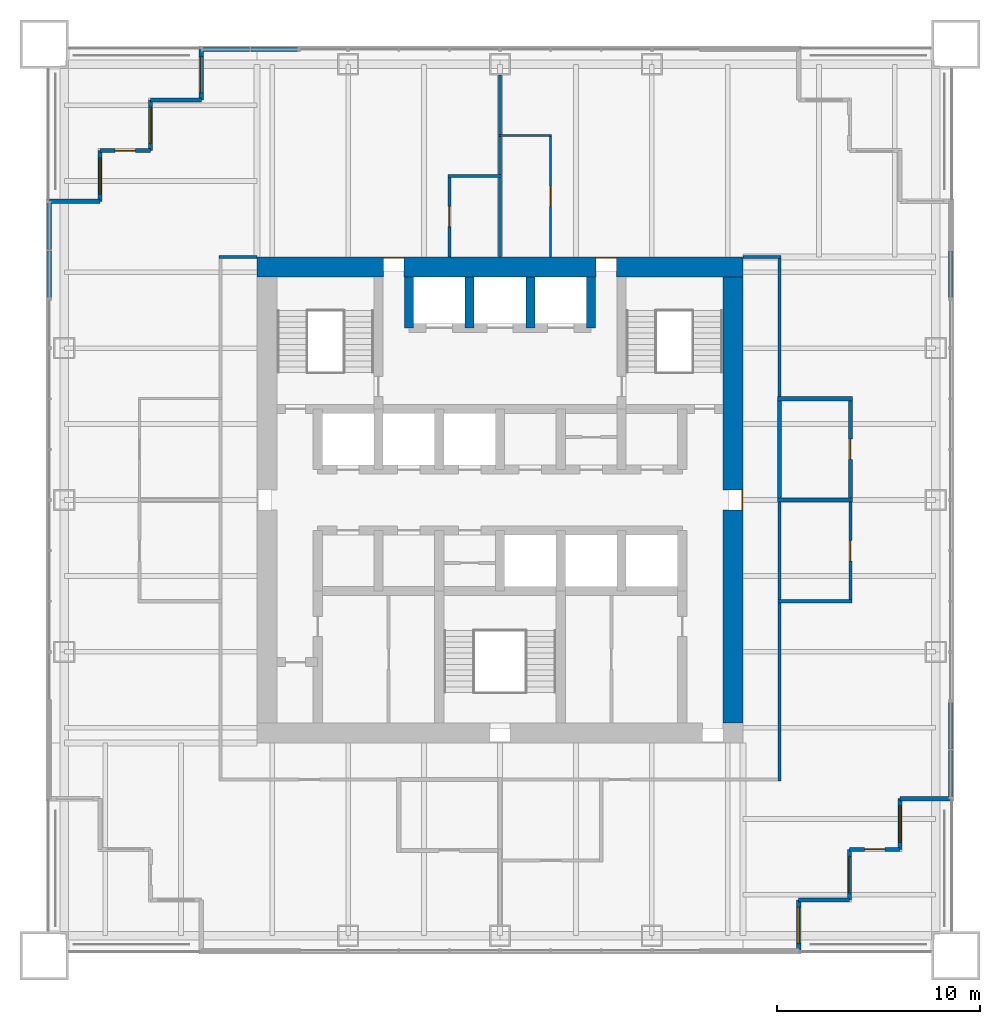
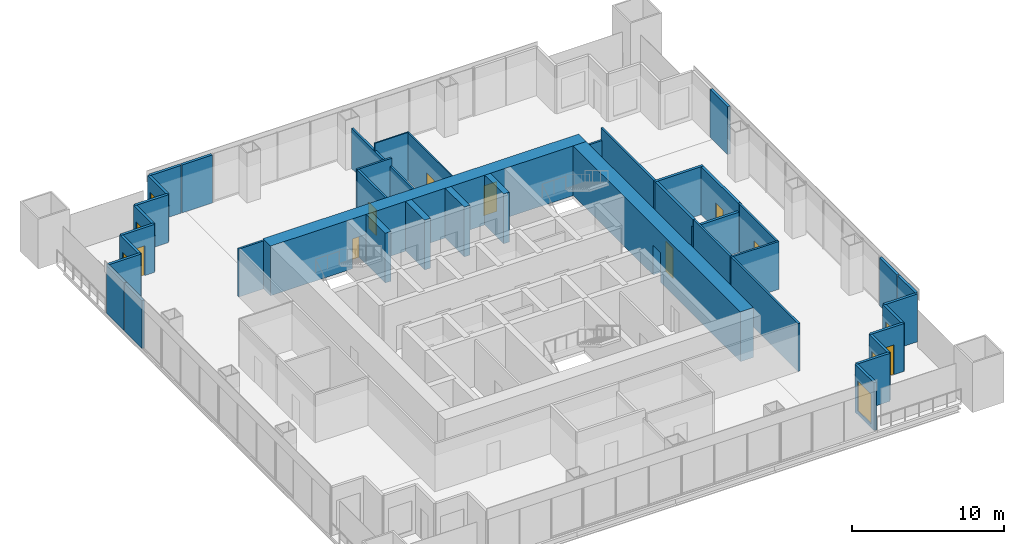
# One storey, part 10 of 13: 40 walls, 9 doors, 6 windows, 15 openings.
"""IFC4 building model written with IfcOpenShell, lengths in metres."""

from ifc_helpers import new_model, si_unit, direction, frame, frame_2d, origin, place, context, subcontext, project, spatial, rectangle, extrude, material, layer, layer_set, type_object, element, fill, save


model = new_model("IFC4")

# Units and contexts
model_context = context("Model", 3, precision=1e-05, world=origin(), true_north=direction((0.0, 1.0)))
body_context = subcontext(model_context, "Body", "Model", "MODEL_VIEW")
ifc_project = project(units=[si_unit("LENGTHUNIT", "METRE"), si_unit("AREAUNIT", "SQUARE_METRE"), si_unit("VOLUMEUNIT", "CUBIC_METRE"), si_unit("PLANEANGLEUNIT", "RADIAN"), si_unit("MASSUNIT", "GRAM", prefix="KILO")], contexts=[model_context])

# Site, building, storey
site_placement = place(None, origin())
site = spatial("IfcSite", under=ifc_project, at=site_placement, CompositionType="ELEMENT")
building_placement = place(site_placement, origin())
building = spatial("IfcBuilding", under=site, at=building_placement, Name="Tarangal Relay Tower", CompositionType="ELEMENT")
storey_placement = place(building_placement, frame((0.0, 0.0, 221.89990234375)))
storey = spatial("IfcBuildingStorey", under=building, at=storey_placement, Name="L47", CompositionType="ELEMENT", Elevation=221.89990234375)

# Walls
ifc_material_1 = material(Name="Two layers gypsum board each side on twin steel studs, mineral wool", Category="steel")
ifc_layer_1 = layer(ifc_material_1, 0.199951171875)
ifc_layer_set_1 = layer_set([ifc_layer_1], Name="Acoustic partition 200")
wall_type_1 = type_object("IfcWallType", Name="Acoustic partition 200", PredefinedType="PARTITIONING", material=ifc_layer_set_1)
wall_1_placement = place(storey_placement, frame((13.699951171875, 0.0, 0.0), z_axis=(0.0, 0.0, 1.0), x_axis=(1.0, 0.0, 0.0)))
element("IfcWall", 1, at=wall_1_placement, inside=storey, type_object=wall_type_1, Name="Partition PT2 L47", PredefinedType="PARTITIONING", context=body_context, shape_type="SweptSolid", body=[
    extrude(rectangle(XDim=3.699951171875, YDim=0.199951171875, at=frame_2d((1.85009765625, 0.0))), origin(), (0.0, 0.0, 1.0), 3.238037109375),
])
wall_2_placement = place(storey_placement, frame((13.699951171875, 5.0, 0.0), z_axis=(0.0, 0.0, 1.0), x_axis=(1.0, 0.0, 0.0)))
element("IfcWall", 2, at=wall_2_placement, inside=storey, type_object=wall_type_1, Name="Partition PT2 L47", PredefinedType="PARTITIONING", context=body_context, shape_type="SweptSolid", body=[
    extrude(rectangle(XDim=3.699951171875, YDim=0.199951171875, at=frame_2d((1.85009765625, 0.0))), origin(), (0.0, 0.0, 1.0), 3.85009765625),
])
wall_3_placement = place(storey_placement, frame((13.800048828125, -0.10009765625, 0.0), z_axis=(0.0, 0.0, 1.0), x_axis=(0.0, 1.0, 0.0)))
element("IfcWall", 3, at=wall_3_placement, inside=storey, type_object=wall_type_1, Name="Partition PT2 L47", PredefinedType="PARTITIONING", context=body_context, shape_type="SweptSolid", body=[
    extrude(rectangle(XDim=5.2001953125, YDim=0.199951171875, at=frame_2d((2.60009765625, 0.0))), origin(), (0.0, 0.0, 1.0), 3.85009765625),
])

# Wall, opening, door
wall_4_placement = place(storey_placement, frame((17.300048828125, -0.10009765625, 0.0), z_axis=(0.0, 0.0, 1.0), x_axis=(0.0, 1.0, 0.0)))
wall_4 = element("IfcWall", 4, at=wall_4_placement, inside=storey, type_object=wall_type_1, Name="Partition PT2 L47", PredefinedType="PARTITIONING", context=body_context, shape_type="SweptSolid", body=[
    extrude(rectangle(XDim=5.2001953125, YDim=0.199951171875, at=frame_2d((2.60009765625, 0.0))), origin(), (0.0, 0.0, 1.0), 3.85009765625),
])
opening_1_placement = place(wall_4_placement, frame((2.10009765625, 0.0, 0.0)))
opening_1 = element("IfcOpeningElement", 5, at=opening_1_placement, cuts=wall_4, Name="Opening D2", PredefinedType="OPENING", context=body_context, shape_type="SweptSolid", body=[
    extrude(rectangle(XDim=1.0, YDim=2.10009765625, at=frame_2d((0.5, 1.050048828125))), frame((0.0, 0.10986328125, 0.0), z_axis=(0.0, -1.0, 0.0), x_axis=(1.0, 0.0, 0.0)), (0.0, 0.0, 1.0), 0.219970703125),
])
ifc_material_2 = material(Name="Hardwood door", Category="wood")
door_type_1 = type_object("IfcDoorType", Name="Door 1000 x 2100", OperationType="SINGLE_SWING_LEFT", PredefinedType="DOOR", material=ifc_material_2)
door_1_placement = place(opening_1_placement, origin())
door_1 = element("IfcDoor", 6, at=door_1_placement, inside=storey, type_object=door_type_1, Name="Door D2 to meeting room L47-04", OperationType="SINGLE_SWING_LEFT", OverallHeight=2.10009765625, OverallWidth=1.0, PredefinedType="DOOR", context=body_context, shape_type="SweptSolid", body=[
    extrude(rectangle(XDim=1.0, YDim=2.10009765625, at=frame_2d((0.5, 1.050048828125))), frame((0.0, 0.02490234375, 0.0), z_axis=(0.0, -1.0, 0.0), x_axis=(1.0, 0.0, 0.0)), (0.0, 0.0, 1.0), 0.050048828125),
])
fill(opening_1, door_1)

# Walls
ifc_material_3 = material(Name="Concrete fc' 60 MPa", Category="concrete")
ifc_layer_2 = layer(ifc_material_3, 0.449951171875)
ifc_layer_set_2 = layer_set([ifc_layer_2], Name="Core inner wall 450")
wall_type_2 = type_object("IfcWallType", Name="Core inner wall 450", PredefinedType="SHEAR", material=ifc_layer_set_2)
for number, where, z_axis, x_axis, name in (
    (7, (-4.5, 8.5, 0.0), (0.0, 0.0, 1.0), (0.0, 1.0, 0.0), "Core wall XM45 L47"),
    (8, (4.5, 8.5, 0.0), (0.0, 0.0, 1.0), (0.0, 1.0, 0.0), "Core wall X45 L47"),
    (9, (-1.5, 8.5, 0.0), (0.0, 0.0, 1.0), (0.0, 1.0, 0.0), "Core wall XM15 L47"),
    (10, (1.5, 8.5, 0.0), (0.0, 0.0, 1.0), (0.0, 1.0, 0.0), "Core wall X15 L47"),
):
    element("IfcWall", number, at=place(storey_placement, frame(where, z_axis=z_axis, x_axis=x_axis)), inside=storey, type_object=wall_type_2, Name=name, PredefinedType="SHEAR", context=body_context, shape_type="SweptSolid", body=[
        extrude(rectangle(XDim=2.5, YDim=0.449951171875, at=frame_2d((1.25, 0.0))), origin(), (0.0, 0.0, 1.0), 4.0),
    ])

# Wall, openings, doors
ifc_layer_3 = layer(ifc_material_3, 1.0)
ifc_layer_set_3 = layer_set([ifc_layer_3], Name="Core wall 1000")
wall_type_3 = type_object("IfcWallType", Name="Core wall 1000", PredefinedType="SHEAR", material=ifc_layer_set_3)
wall_5_placement = place(storey_placement, frame((-12.0, 11.5, 0.0), z_axis=(0.0, 0.0, 1.0), x_axis=(1.0, 0.0, 0.0)))
wall_5 = element("IfcWall", 11, at=wall_5_placement, inside=storey, type_object=wall_type_3, Name="Core wall N L47", PredefinedType="SHEAR", context=body_context, shape_type="SweptSolid", body=[
    extrude(rectangle(XDim=24.0, YDim=1.0, at=frame_2d((12.0, 0.0))), origin(), (0.0, 0.0, 1.0), 4.0),
])
opening_2_placement = place(wall_5_placement, frame((6.25, 0.0, 0.0)))
opening_2 = element("IfcOpeningElement", 12, at=opening_2_placement, cuts=wall_5, Name="Opening FD3", PredefinedType="OPENING", context=body_context, shape_type="SweptSolid", body=[
    extrude(rectangle(XDim=1.0, YDim=2.39990234375, at=frame_2d((0.5, 1.199951171875))), frame((0.0, 0.510009765625, 0.0), z_axis=(0.0, -1.0, 0.0), x_axis=(1.0, 0.0, 0.0)), (0.0, 0.0, 1.0), 1.02001953125),
])
opening_3_placement = place(wall_5_placement, frame((16.75, 0.0, 0.0)))
opening_3 = element("IfcOpeningElement", 13, at=opening_3_placement, cuts=wall_5, Name="Opening FD3", PredefinedType="OPENING", context=body_context, shape_type="SweptSolid", body=[
    extrude(rectangle(XDim=1.0, YDim=2.39990234375, at=frame_2d((0.5, 1.199951171875))), frame((0.0, 0.510009765625, 0.0), z_axis=(0.0, -1.0, 0.0), x_axis=(1.0, 0.0, 0.0)), (0.0, 0.0, 1.0), 1.02001953125),
])
ifc_material_4 = material(Name="Steel door with hardwood frame", Category="steel")
door_type_2 = type_object("IfcDoorType", Name="Fire door 1000 x 2400 core entry", OperationType="SINGLE_SWING_RIGHT", PredefinedType="DOOR", material=ifc_material_4)
door_2_placement = place(opening_2_placement, origin())
door_2 = element("IfcDoor", 14, at=door_2_placement, inside=storey, type_object=door_type_2, Name="Core entry door north west L47", OperationType="SINGLE_SWING_RIGHT", OverallHeight=2.39990234375, OverallWidth=1.0, PredefinedType="DOOR", context=body_context, shape_type="SweptSolid", body=[
    extrude(rectangle(XDim=1.0, YDim=2.39990234375, at=frame_2d((0.5, 1.199951171875))), frame((0.0, 0.48486328125, 0.0), z_axis=(0.0, -1.0, 0.0), x_axis=(1.0, 0.0, 0.0)), (0.0, 0.0, 1.0), 0.050048828125),
])
fill(opening_2, door_2)
door_3_placement = place(opening_3_placement, origin())
door_3 = element("IfcDoor", 15, at=door_3_placement, inside=storey, type_object=door_type_2, Name="Core entry door north east L47", OperationType="SINGLE_SWING_RIGHT", OverallHeight=2.39990234375, OverallWidth=1.0, PredefinedType="DOOR", context=body_context, shape_type="SweptSolid", body=[
    extrude(rectangle(XDim=1.0, YDim=2.39990234375, at=frame_2d((0.5, 1.199951171875))), frame((0.0, 0.48486328125, 0.0), z_axis=(0.0, -1.0, 0.0), x_axis=(1.0, 0.0, 0.0)), (0.0, 0.0, 1.0), 0.050048828125),
])
fill(opening_3, door_3)

# Wall, opening, door
wall_6_placement = place(storey_placement, frame((11.5, 11.0, 0.0), z_axis=(0.0, 0.0, 1.0), x_axis=(0.0, -1.0, 0.0)))
wall_6 = element("IfcWall", 16, at=wall_6_placement, inside=storey, type_object=wall_type_3, Name="Core wall E L47", PredefinedType="SHEAR", context=body_context, shape_type="SweptSolid", body=[
    extrude(rectangle(XDim=22.0, YDim=1.0, at=frame_2d((11.0, 0.0))), origin(), (0.0, 0.0, 1.0), 4.0),
])
opening_4_placement = place(wall_6_placement, frame((10.5, 0.0, 0.0)))
opening_4 = element("IfcOpeningElement", 17, at=opening_4_placement, cuts=wall_6, Name="Opening FD3", PredefinedType="OPENING", context=body_context, shape_type="SweptSolid", body=[
    extrude(rectangle(XDim=1.0, YDim=2.39990234375, at=frame_2d((0.5, 1.199951171875))), frame((0.0, 0.510009765625, 0.0), z_axis=(0.0, -1.0, 0.0), x_axis=(1.0, 0.0, 0.0)), (0.0, 0.0, 1.0), 1.02001953125),
])
door_4_placement = place(opening_4_placement, origin())
door_4 = element("IfcDoor", 18, at=door_4_placement, inside=storey, type_object=door_type_2, Name="Core entry door east L47", OperationType="SINGLE_SWING_RIGHT", OverallHeight=2.39990234375, OverallWidth=1.0, PredefinedType="DOOR", context=body_context, shape_type="SweptSolid", body=[
    extrude(rectangle(XDim=1.0, YDim=2.39990234375, at=frame_2d((0.5, 1.199951171875))), frame((0.0, 0.48486328125, 0.0), z_axis=(0.0, -1.0, 0.0), x_axis=(1.0, 0.0, 0.0)), (0.0, 0.0, 1.0), 0.050048828125),
])
fill(opening_4, door_4)

# Wall
ifc_material_5 = material(Name="Black metal clad insulated wall", Category="steel")
ifc_layer_4 = layer(ifc_material_5, 0.199951171875)
ifc_layer_set_4 = layer_set([ifc_layer_4], Name="Corner wall metal clad 200")
wall_type_4 = type_object("IfcWallType", Name="Corner wall metal clad 200", PredefinedType="SOLIDWALL", material=ifc_layer_set_4)
wall_7_placement = place(storey_placement, frame((22.25, -14.75, 0.0), z_axis=(0.0, 0.0, 1.0), x_axis=(-1.0, 0.0, 0.0)))
element("IfcWall", 19, at=wall_7_placement, inside=storey, type_object=wall_type_4, Name="Facade wall E facade L47", PredefinedType="SOLIDWALL", context=body_context, shape_type="SweptSolid", body=[
    extrude(rectangle(XDim=2.5, YDim=0.199951171875, at=frame_2d((1.25, 0.0))), origin(), (0.0, 0.0, 1.0), 3.85009765625),
])

# Wall, opening, window
wall_8_placement = place(storey_placement, frame((19.75, -14.75, 0.0), z_axis=(0.0, 0.0, 1.0), x_axis=(0.0, -1.0, 0.0)))
wall_8 = element("IfcWall", 20, at=wall_8_placement, inside=storey, type_object=wall_type_4, Name="Facade wall E facade L47", PredefinedType="SOLIDWALL", context=body_context, shape_type="SweptSolid", body=[
    extrude(rectangle(XDim=2.5, YDim=0.199951171875, at=frame_2d((1.25, 0.0))), origin(), (0.0, 0.0, 1.0), 3.85009765625),
])
opening_5_placement = place(wall_8_placement, frame((0.35009765625, 0.0, 0.300048828125)))
opening_5 = element("IfcOpeningElement", 21, at=opening_5_placement, cuts=wall_8, Name="Opening WN2", PredefinedType="OPENING", context=body_context, shape_type="SweptSolid", body=[
    extrude(rectangle(XDim=1.800048828125, YDim=2.39990234375, at=frame_2d((0.89990234375, 1.199951171875))), frame((0.0, 0.10986328125, 0.0), z_axis=(0.0, -1.0, 0.0), x_axis=(1.0, 0.0, 0.0)), (0.0, 0.0, 1.0), 0.219970703125),
])
ifc_material_6 = material(Name="Dark tinted double glazing in black aluminium frame", Category="aluminium")
window_type = type_object("IfcWindowType", Name="Corner window 1800 x 2400", PartitioningType="SINGLE_PANEL", PredefinedType="WINDOW", material=ifc_material_6)
window_1_placement = place(opening_5_placement, origin())
window_1 = element("IfcWindow", 22, at=window_1_placement, inside=storey, type_object=window_type, Name="Corner window WN2 E facade L47", OverallHeight=2.39990234375, OverallWidth=1.800048828125, PartitioningType="SINGLE_PANEL", PredefinedType="WINDOW", context=body_context, shape_type="SweptSolid", body=[
    extrude(rectangle(XDim=1.800048828125, YDim=2.39990234375, at=frame_2d((0.89990234375, 1.199951171875))), frame((0.0, 0.030029296875, 0.0), z_axis=(0.0, -1.0, 0.0), x_axis=(1.0, 0.0, 0.0)), (0.0, 0.0, 1.0), 0.06005859375),
])
fill(opening_5, window_1)

# Wall, opening, door
wall_9_placement = place(storey_placement, frame((19.75, -17.25, 0.0), z_axis=(0.0, 0.0, 1.0), x_axis=(-1.0, 0.0, 0.0)))
wall_9 = element("IfcWall", 23, at=wall_9_placement, inside=storey, type_object=wall_type_4, Name="Facade wall E facade L47", PredefinedType="SOLIDWALL", context=body_context, shape_type="SweptSolid", body=[
    extrude(rectangle(XDim=2.5, YDim=0.199951171875, at=frame_2d((1.25, 0.0))), origin(), (0.0, 0.0, 1.0), 3.85009765625),
])
opening_6_placement = place(wall_9_placement, frame((0.75, 0.0, 0.0)))
opening_6 = element("IfcOpeningElement", 24, at=opening_6_placement, cuts=wall_9, Name="Opening TD1", PredefinedType="OPENING", context=body_context, shape_type="SweptSolid", body=[
    extrude(rectangle(XDim=1.0, YDim=2.39990234375, at=frame_2d((0.5, 1.199951171875))), frame((0.0, 0.10986328125, 0.0), z_axis=(0.0, -1.0, 0.0), x_axis=(1.0, 0.0, 0.0)), (0.0, 0.0, 1.0), 0.219970703125),
])
ifc_material_7 = material(Name="Aluminium glazed door", Category="aluminium")
door_type_3 = type_object("IfcDoorType", Name="Terrace door 1000 x 2400", OperationType="SINGLE_SWING_RIGHT", PredefinedType="DOOR", material=ifc_material_7)
door_5_placement = place(opening_6_placement, origin())
door_5 = element("IfcDoor", 25, at=door_5_placement, inside=storey, type_object=door_type_3, Name="Terrace door TD1 SE L47", OperationType="SINGLE_SWING_RIGHT", OverallHeight=2.39990234375, OverallWidth=1.0, PredefinedType="DOOR", context=body_context, shape_type="SweptSolid", body=[
    extrude(rectangle(XDim=1.0, YDim=2.39990234375, at=frame_2d((0.5, 1.199951171875))), frame((0.0, 0.02490234375, 0.0), z_axis=(0.0, -1.0, 0.0), x_axis=(1.0, 0.0, 0.0)), (0.0, 0.0, 1.0), 0.050048828125),
])
fill(opening_6, door_5)

# Wall, opening, window
wall_10_placement = place(storey_placement, frame((17.25, -17.25, 0.0), z_axis=(0.0, 0.0, 1.0), x_axis=(0.0, -1.0, 0.0)))
wall_10 = element("IfcWall", 26, at=wall_10_placement, inside=storey, type_object=wall_type_4, Name="Facade wall E facade L47", PredefinedType="SOLIDWALL", context=body_context, shape_type="SweptSolid", body=[
    extrude(rectangle(XDim=2.5, YDim=0.199951171875, at=frame_2d((1.25, 0.0))), origin(), (0.0, 0.0, 1.0), 3.85009765625),
])
opening_7_placement = place(wall_10_placement, frame((0.35009765625, 0.0, 0.300048828125)))
opening_7 = element("IfcOpeningElement", 27, at=opening_7_placement, cuts=wall_10, Name="Opening WN2", PredefinedType="OPENING", context=body_context, shape_type="SweptSolid", body=[
    extrude(rectangle(XDim=1.800048828125, YDim=2.39990234375, at=frame_2d((0.89990234375, 1.199951171875))), frame((0.0, 0.10986328125, 0.0), z_axis=(0.0, -1.0, 0.0), x_axis=(1.0, 0.0, 0.0)), (0.0, 0.0, 1.0), 0.219970703125),
])
window_2_placement = place(opening_7_placement, origin())
window_2 = element("IfcWindow", 28, at=window_2_placement, inside=storey, type_object=window_type, Name="Corner window WN2 E facade L47", OverallHeight=2.39990234375, OverallWidth=1.800048828125, PartitioningType="SINGLE_PANEL", PredefinedType="WINDOW", context=body_context, shape_type="SweptSolid", body=[
    extrude(rectangle(XDim=1.800048828125, YDim=2.39990234375, at=frame_2d((0.89990234375, 1.199951171875))), frame((0.0, 0.030029296875, 0.0), z_axis=(0.0, -1.0, 0.0), x_axis=(1.0, 0.0, 0.0)), (0.0, 0.0, 1.0), 0.06005859375),
])
fill(opening_7, window_2)

# Wall
wall_11_placement = place(storey_placement, frame((17.25, -19.75, 0.0), z_axis=(0.0, 0.0, 1.0), x_axis=(-1.0, 0.0, 0.0)))
element("IfcWall", 29, at=wall_11_placement, inside=storey, type_object=wall_type_4, Name="Facade wall E facade L47", PredefinedType="SOLIDWALL", context=body_context, shape_type="SweptSolid", body=[
    extrude(rectangle(XDim=2.5, YDim=0.199951171875, at=frame_2d((1.25, 0.0))), origin(), (0.0, 0.0, 1.0), 3.85009765625),
])

# Wall, opening, window
wall_12_placement = place(storey_placement, frame((14.75, -19.75, 0.0), z_axis=(0.0, 0.0, 1.0), x_axis=(0.0, -1.0, 0.0)))
wall_12 = element("IfcWall", 30, at=wall_12_placement, inside=storey, type_object=wall_type_4, Name="Facade wall E facade L47", PredefinedType="SOLIDWALL", context=body_context, shape_type="SweptSolid", body=[
    extrude(rectangle(XDim=2.5, YDim=0.199951171875, at=frame_2d((1.25, 0.0))), origin(), (0.0, 0.0, 1.0), 3.85009765625),
])
opening_8_placement = place(wall_12_placement, frame((0.35009765625, 0.0, 0.300048828125)))
opening_8 = element("IfcOpeningElement", 31, at=opening_8_placement, cuts=wall_12, Name="Opening WN2", PredefinedType="OPENING", context=body_context, shape_type="SweptSolid", body=[
    extrude(rectangle(XDim=1.800048828125, YDim=2.39990234375, at=frame_2d((0.89990234375, 1.199951171875))), frame((0.0, 0.10986328125, 0.0), z_axis=(0.0, -1.0, 0.0), x_axis=(1.0, 0.0, 0.0)), (0.0, 0.0, 1.0), 0.219970703125),
])
window_3_placement = place(opening_8_placement, origin())
window_3 = element("IfcWindow", 32, at=window_3_placement, inside=storey, type_object=window_type, Name="Corner window WN2 E facade L47", OverallHeight=2.39990234375, OverallWidth=1.800048828125, PartitioningType="SINGLE_PANEL", PredefinedType="WINDOW", context=body_context, shape_type="SweptSolid", body=[
    extrude(rectangle(XDim=1.800048828125, YDim=2.39990234375, at=frame_2d((0.89990234375, 1.199951171875))), frame((0.0, 0.030029296875, 0.0), z_axis=(0.0, -1.0, 0.0), x_axis=(1.0, 0.0, 0.0)), (0.0, 0.0, 1.0), 0.06005859375),
])
fill(opening_8, window_3)

# Wall
wall_13_placement = place(storey_placement, frame((-22.25, 14.75, 0.0), z_axis=(0.0, 0.0, 1.0), x_axis=(1.0, 0.0, 0.0)))
element("IfcWall", 33, at=wall_13_placement, inside=storey, type_object=wall_type_4, Name="Facade wall W facade L47", PredefinedType="SOLIDWALL", context=body_context, shape_type="SweptSolid", body=[
    extrude(rectangle(XDim=2.5, YDim=0.199951171875, at=frame_2d((1.25, 0.0))), origin(), (0.0, 0.0, 1.0), 3.85009765625),
])

# Wall, opening, window
wall_14_placement = place(storey_placement, frame((-19.75, 14.75, 0.0), z_axis=(0.0, 0.0, 1.0), x_axis=(0.0, 1.0, 0.0)))
wall_14 = element("IfcWall", 34, at=wall_14_placement, inside=storey, type_object=wall_type_4, Name="Facade wall W facade L47", PredefinedType="SOLIDWALL", context=body_context, shape_type="SweptSolid", body=[
    extrude(rectangle(XDim=2.5, YDim=0.199951171875, at=frame_2d((1.25, 0.0))), origin(), (0.0, 0.0, 1.0), 3.85009765625),
])
opening_9_placement = place(wall_14_placement, frame((0.35009765625, 0.0, 0.300048828125)))
opening_9 = element("IfcOpeningElement", 35, at=opening_9_placement, cuts=wall_14, Name="Opening WN2", PredefinedType="OPENING", context=body_context, shape_type="SweptSolid", body=[
    extrude(rectangle(XDim=1.800048828125, YDim=2.39990234375, at=frame_2d((0.89990234375, 1.199951171875))), frame((0.0, 0.10986328125, 0.0), z_axis=(0.0, -1.0, 0.0), x_axis=(1.0, 0.0, 0.0)), (0.0, 0.0, 1.0), 0.219970703125),
])
window_4_placement = place(opening_9_placement, origin())
window_4 = element("IfcWindow", 36, at=window_4_placement, inside=storey, type_object=window_type, Name="Corner window WN2 W facade L47", OverallHeight=2.39990234375, OverallWidth=1.800048828125, PartitioningType="SINGLE_PANEL", PredefinedType="WINDOW", context=body_context, shape_type="SweptSolid", body=[
    extrude(rectangle(XDim=1.800048828125, YDim=2.39990234375, at=frame_2d((0.89990234375, 1.199951171875))), frame((0.0, 0.030029296875, 0.0), z_axis=(0.0, -1.0, 0.0), x_axis=(1.0, 0.0, 0.0)), (0.0, 0.0, 1.0), 0.06005859375),
])
fill(opening_9, window_4)

# Wall, opening, door
wall_15_placement = place(storey_placement, frame((-19.75, 17.25, 0.0), z_axis=(0.0, 0.0, 1.0), x_axis=(1.0, 0.0, 0.0)))
wall_15 = element("IfcWall", 37, at=wall_15_placement, inside=storey, type_object=wall_type_4, Name="Facade wall W facade L47", PredefinedType="SOLIDWALL", context=body_context, shape_type="SweptSolid", body=[
    extrude(rectangle(XDim=2.5, YDim=0.199951171875, at=frame_2d((1.25, 0.0))), origin(), (0.0, 0.0, 1.0), 3.85009765625),
])
opening_10_placement = place(wall_15_placement, frame((0.75, 0.0, 0.0)))
opening_10 = element("IfcOpeningElement", 38, at=opening_10_placement, cuts=wall_15, Name="Opening TD1", PredefinedType="OPENING", context=body_context, shape_type="SweptSolid", body=[
    extrude(rectangle(XDim=1.0, YDim=2.39990234375, at=frame_2d((0.5, 1.199951171875))), frame((0.0, 0.10986328125, 0.0), z_axis=(0.0, -1.0, 0.0), x_axis=(1.0, 0.0, 0.0)), (0.0, 0.0, 1.0), 0.219970703125),
])
door_6_placement = place(opening_10_placement, origin())
door_6 = element("IfcDoor", 39, at=door_6_placement, inside=storey, type_object=door_type_3, Name="Terrace door TD1 NW L47", OperationType="SINGLE_SWING_RIGHT", OverallHeight=2.39990234375, OverallWidth=1.0, PredefinedType="DOOR", context=body_context, shape_type="SweptSolid", body=[
    extrude(rectangle(XDim=1.0, YDim=2.39990234375, at=frame_2d((0.5, 1.199951171875))), frame((0.0, 0.02490234375, 0.0), z_axis=(0.0, -1.0, 0.0), x_axis=(1.0, 0.0, 0.0)), (0.0, 0.0, 1.0), 0.050048828125),
])
fill(opening_10, door_6)

# Wall, opening, window
wall_16_placement = place(storey_placement, frame((-17.25, 17.25, 0.0), z_axis=(0.0, 0.0, 1.0), x_axis=(0.0, 1.0, 0.0)))
wall_16 = element("IfcWall", 40, at=wall_16_placement, inside=storey, type_object=wall_type_4, Name="Facade wall W facade L47", PredefinedType="SOLIDWALL", context=body_context, shape_type="SweptSolid", body=[
    extrude(rectangle(XDim=2.5, YDim=0.199951171875, at=frame_2d((1.25, 0.0))), origin(), (0.0, 0.0, 1.0), 3.85009765625),
])
opening_11_placement = place(wall_16_placement, frame((0.35009765625, 0.0, 0.300048828125)))
opening_11 = element("IfcOpeningElement", 41, at=opening_11_placement, cuts=wall_16, Name="Opening WN2", PredefinedType="OPENING", context=body_context, shape_type="SweptSolid", body=[
    extrude(rectangle(XDim=1.800048828125, YDim=2.39990234375, at=frame_2d((0.89990234375, 1.199951171875))), frame((0.0, 0.10986328125, 0.0), z_axis=(0.0, -1.0, 0.0), x_axis=(1.0, 0.0, 0.0)), (0.0, 0.0, 1.0), 0.219970703125),
])
window_5_placement = place(opening_11_placement, origin())
window_5 = element("IfcWindow", 42, at=window_5_placement, inside=storey, type_object=window_type, Name="Corner window WN2 W facade L47", OverallHeight=2.39990234375, OverallWidth=1.800048828125, PartitioningType="SINGLE_PANEL", PredefinedType="WINDOW", context=body_context, shape_type="SweptSolid", body=[
    extrude(rectangle(XDim=1.800048828125, YDim=2.39990234375, at=frame_2d((0.89990234375, 1.199951171875))), frame((0.0, 0.030029296875, 0.0), z_axis=(0.0, -1.0, 0.0), x_axis=(1.0, 0.0, 0.0)), (0.0, 0.0, 1.0), 0.06005859375),
])
fill(opening_11, window_5)

# Wall
wall_17_placement = place(storey_placement, frame((-17.25, 19.75, 0.0), z_axis=(0.0, 0.0, 1.0), x_axis=(1.0, 0.0, 0.0)))
element("IfcWall", 43, at=wall_17_placement, inside=storey, type_object=wall_type_4, Name="Facade wall W facade L47", PredefinedType="SOLIDWALL", context=body_context, shape_type="SweptSolid", body=[
    extrude(rectangle(XDim=2.5, YDim=0.199951171875, at=frame_2d((1.25, 0.0))), origin(), (0.0, 0.0, 1.0), 3.85009765625),
])

# Wall, opening, window
wall_18_placement = place(storey_placement, frame((-14.75, 19.75, 0.0), z_axis=(0.0, 0.0, 1.0), x_axis=(0.0, 1.0, 0.0)))
wall_18 = element("IfcWall", 44, at=wall_18_placement, inside=storey, type_object=wall_type_4, Name="Facade wall W facade L47", PredefinedType="SOLIDWALL", context=body_context, shape_type="SweptSolid", body=[
    extrude(rectangle(XDim=2.5, YDim=0.199951171875, at=frame_2d((1.25, 0.0))), origin(), (0.0, 0.0, 1.0), 3.85009765625),
])
opening_12_placement = place(wall_18_placement, frame((0.35009765625, 0.0, 0.300048828125)))
opening_12 = element("IfcOpeningElement", 45, at=opening_12_placement, cuts=wall_18, Name="Opening WN2", PredefinedType="OPENING", context=body_context, shape_type="SweptSolid", body=[
    extrude(rectangle(XDim=1.800048828125, YDim=2.39990234375, at=frame_2d((0.89990234375, 1.199951171875))), frame((0.0, 0.10986328125, 0.0), z_axis=(0.0, -1.0, 0.0), x_axis=(1.0, 0.0, 0.0)), (0.0, 0.0, 1.0), 0.219970703125),
])
window_6_placement = place(opening_12_placement, origin())
window_6 = element("IfcWindow", 46, at=window_6_placement, inside=storey, type_object=window_type, Name="Corner window WN2 W facade L47", OverallHeight=2.39990234375, OverallWidth=1.800048828125, PartitioningType="SINGLE_PANEL", PredefinedType="WINDOW", context=body_context, shape_type="SweptSolid", body=[
    extrude(rectangle(XDim=1.800048828125, YDim=2.39990234375, at=frame_2d((0.89990234375, 1.199951171875))), frame((0.0, 0.030029296875, 0.0), z_axis=(0.0, -1.0, 0.0), x_axis=(1.0, 0.0, 0.0)), (0.0, 0.0, 1.0), 0.06005859375),
])
fill(opening_12, window_6)

# Walls
ifc_layer_5 = layer(ifc_material_5, 0.199951171875)
ifc_layer_set_5 = layer_set([ifc_layer_5], Name="Facade infill wall metal clad 200")
wall_type_5 = type_object("IfcWallType", Name="Facade infill wall metal clad 200", PredefinedType="SOLIDWALL", material=ifc_layer_set_5)
for number, where, z_axis, x_axis, name in (
    (47, (-14.68505859375, 22.25, 0.0), (0.0, 0.0, 1.0), (1.0, 0.0, 0.0), "Facade infill wall N facade L47 1.1"),
    (48, (-12.30078125, 22.25, 0.0), (0.0, 0.0, 1.0), (1.0, 0.0, 0.0), "Facade infill wall N facade L47 2.1"),
    (49, (22.25, 12.30078125, 0.0), (0.0, 0.0, 1.0), (0.0, -1.0, 0.0), "Facade infill wall E facade L47 2.1"),
    (50, (22.25, -9.981689453125, 0.0), (0.0, 0.0, 1.0), (0.0, -1.0, 0.0), "Facade infill wall E facade L47 1.1"),
    (51, (22.25, -12.365966796875, 0.0), (0.0, 0.0, 1.0), (0.0, -1.0, 0.0), "Facade infill wall E facade L47 2.1"),
    (52, (-22.25, 9.981689453125, 0.0), (0.0, 0.0, 1.0), (0.0, 1.0, 0.0), "Facade infill wall W facade L47 1.1"),
    (53, (-22.25, 12.365966796875, 0.0), (0.0, 0.0, 1.0), (0.0, 1.0, 0.0), "Facade infill wall W facade L47 2.1"),
):
    element("IfcWall", number, at=place(storey_placement, frame(where, z_axis=z_axis, x_axis=x_axis)), inside=storey, type_object=wall_type_5, Name=name, PredefinedType="SOLIDWALL", context=body_context, shape_type="SweptSolid", body=[
        extrude(rectangle(XDim=2.319091796875, YDim=0.199951171875, at=frame_2d((1.15966796875, 0.0))), origin(), (0.0, 0.0, 1.0), 3.85009765625),
    ])
ifc_material_8 = material(Name="Double glazed aluminium framed partition", Category="aluminium")
ifc_layer_6 = layer(ifc_material_8, 0.10009765625)
ifc_layer_set_6 = layer_set([ifc_layer_6], Name="Glazed partition 100")
wall_type_6 = type_object("IfcWallType", Name="Glazed partition 100", PredefinedType="PARTITIONING", material=ifc_layer_set_6)
wall_19_placement = place(storey_placement, frame((-0.050048828125, 18.0, 0.0), z_axis=(0.0, 0.0, 1.0), x_axis=(1.0, 0.0, 0.0)))
element("IfcWall", 54, at=wall_19_placement, inside=storey, type_object=wall_type_6, Name="Partition PT3 L47", PredefinedType="PARTITIONING", context=body_context, shape_type="SweptSolid", body=[
    extrude(rectangle(XDim=2.60009765625, YDim=0.10009765625, at=frame_2d((1.300048828125, 0.0))), origin(), (0.0, 0.0, 1.0), 3.85009765625),
])

# Wall, opening, door
wall_20_placement = place(storey_placement, frame((2.5, 12.0, 0.0), z_axis=(0.0, 0.0, 1.0), x_axis=(0.0, 1.0, 0.0)))
wall_20 = element("IfcWall", 55, at=wall_20_placement, inside=storey, type_object=wall_type_6, Name="Partition PT3 L47", PredefinedType="PARTITIONING", context=body_context, shape_type="SweptSolid", body=[
    extrude(rectangle(XDim=6.050048828125, YDim=0.10009765625, at=frame_2d((3.02490234375, 0.0))), origin(), (0.0, 0.0, 1.0), 3.85009765625),
])
opening_13_placement = place(wall_20_placement, frame((2.5, 0.0, 0.0)))
opening_13 = element("IfcOpeningElement", 56, at=opening_13_placement, cuts=wall_20, Name="Opening D3", PredefinedType="OPENING", context=body_context, shape_type="SweptSolid", body=[
    extrude(rectangle(XDim=1.0, YDim=2.10009765625, at=frame_2d((0.5, 1.050048828125))), frame((0.0, 0.06005859375, 0.0), z_axis=(0.0, -1.0, 0.0), x_axis=(1.0, 0.0, 0.0)), (0.0, 0.0, 1.0), 0.1201171875),
])
ifc_material_9 = material(Name="Frameless glass door", Category="glass")
door_type_4 = type_object("IfcDoorType", Name="Glazed door 1000 x 2100", OperationType="SINGLE_SWING_LEFT", PredefinedType="DOOR", material=ifc_material_9)
door_7_placement = place(opening_13_placement, origin())
door_7 = element("IfcDoor", 57, at=door_7_placement, inside=storey, type_object=door_type_4, Name="Door D3 to meeting room L47-03", OperationType="SINGLE_SWING_LEFT", OverallHeight=2.10009765625, OverallWidth=1.0, PredefinedType="DOOR", context=body_context, shape_type="SweptSolid", body=[
    extrude(rectangle(XDim=1.0, YDim=2.10009765625, at=frame_2d((0.5, 1.050048828125))), frame((0.0, 0.02490234375, 0.0), z_axis=(0.0, -1.0, 0.0), x_axis=(1.0, 0.0, 0.0)), (0.0, 0.0, 1.0), 0.050048828125),
])
fill(opening_13, door_7)

# Walls
ifc_material_10 = material(Name="Gypsum board on steel studs", Category="steel")
ifc_layer_7 = layer(ifc_material_10, 0.14990234375)
ifc_layer_set_7 = layer_set([ifc_layer_7], Name="Partition 150")
wall_type_7 = type_object("IfcWallType", Name="Partition 150", PredefinedType="PARTITIONING", material=ifc_layer_set_7)
wall_21_placement = place(storey_placement, frame((13.72509765625, -5.0, 0.0), z_axis=(0.0, 0.0, 1.0), x_axis=(1.0, 0.0, 0.0)))
element("IfcWall", 58, at=wall_21_placement, inside=storey, type_object=wall_type_7, Name="Partition PT1 L47", PredefinedType="PARTITIONING", context=body_context, shape_type="SweptSolid", body=[
    extrude(rectangle(XDim=3.64990234375, YDim=0.14990234375, at=frame_2d((1.824951171875, 0.0))), origin(), (0.0, 0.0, 1.0), 3.85009765625),
])
wall_22_placement = place(storey_placement, frame((-13.875, 12.0, 0.0), z_axis=(0.0, 0.0, 1.0), x_axis=(1.0, 0.0, 0.0)))
element("IfcWall", 59, at=wall_22_placement, inside=storey, type_object=wall_type_7, Name="Partition PT1 L47", PredefinedType="PARTITIONING", context=body_context, shape_type="SweptSolid", body=[
    extrude(rectangle(XDim=1.875, YDim=0.14990234375, at=frame_2d((0.9375, 0.0))), origin(), (0.0, 0.0, 1.0), 3.85009765625),
])
wall_23_placement = place(storey_placement, frame((12.0, 12.0, 0.0), z_axis=(0.0, 0.0, 1.0), x_axis=(1.0, 0.0, 0.0)))
element("IfcWall", 60, at=wall_23_placement, inside=storey, type_object=wall_type_7, Name="Partition PT1 L47", PredefinedType="PARTITIONING", context=body_context, shape_type="SweptSolid", body=[
    extrude(rectangle(XDim=1.875, YDim=0.14990234375, at=frame_2d((0.9375, 0.0))), origin(), (0.0, 0.0, 1.0), 2.907958984375),
])
wall_24_placement = place(storey_placement, frame((-2.574951171875, 16.0, 0.0), z_axis=(0.0, 0.0, 1.0), x_axis=(1.0, 0.0, 0.0)))
element("IfcWall", 61, at=wall_24_placement, inside=storey, type_object=wall_type_7, Name="Partition PT1 L47", PredefinedType="PARTITIONING", context=body_context, shape_type="SweptSolid", body=[
    extrude(rectangle(XDim=2.64990234375, YDim=0.14990234375, at=frame_2d((1.324951171875, 0.0))), origin(), (0.0, 0.0, 1.0), 3.85009765625),
])

# Wall, opening, door
wall_25_placement = place(storey_placement, frame((-2.5, 12.0, 0.0), z_axis=(0.0, 0.0, 1.0), x_axis=(0.0, 1.0, 0.0)))
wall_25 = element("IfcWall", 62, at=wall_25_placement, inside=storey, type_object=wall_type_7, Name="Partition PT1 L47", PredefinedType="PARTITIONING", context=body_context, shape_type="SweptSolid", body=[
    extrude(rectangle(XDim=4.074951171875, YDim=0.14990234375, at=frame_2d((2.03759765625, 0.0))), origin(), (0.0, 0.0, 1.0), 3.85009765625),
])
opening_14_placement = place(wall_25_placement, frame((1.5, 0.0, 0.0)))
opening_14 = element("IfcOpeningElement", 63, at=opening_14_placement, cuts=wall_25, Name="Opening D2", PredefinedType="OPENING", context=body_context, shape_type="SweptSolid", body=[
    extrude(rectangle(XDim=1.0, YDim=2.10009765625, at=frame_2d((0.5, 1.050048828125))), frame((0.0, 0.0849609375, 0.0), z_axis=(0.0, -1.0, 0.0), x_axis=(1.0, 0.0, 0.0)), (0.0, 0.0, 1.0), 0.169921875),
])
door_8_placement = place(opening_14_placement, origin())
door_8 = element("IfcDoor", 64, at=door_8_placement, inside=storey, type_object=door_type_1, Name="Door D2 to tea pantry L47-02", OperationType="SINGLE_SWING_LEFT", OverallHeight=2.10009765625, OverallWidth=1.0, PredefinedType="DOOR", context=body_context, shape_type="SweptSolid", body=[
    extrude(rectangle(XDim=1.0, YDim=2.10009765625, at=frame_2d((0.5, 1.050048828125))), frame((0.0, 0.02490234375, 0.0), z_axis=(0.0, -1.0, 0.0), x_axis=(1.0, 0.0, 0.0)), (0.0, 0.0, 1.0), 0.050048828125),
])
fill(opening_14, door_8)

# Walls
wall_26_placement = place(storey_placement, frame((0.0, 12.0, 0.0), z_axis=(0.0, 0.0, 1.0), x_axis=(0.0, 1.0, 0.0)))
element("IfcWall", 65, at=wall_26_placement, inside=storey, type_object=wall_type_7, Name="Partition PT1 L47", PredefinedType="PARTITIONING", context=body_context, shape_type="SweptSolid", body=[
    extrude(rectangle(XDim=8.989990234375, YDim=0.14990234375, at=frame_2d((4.4951171875, 0.0))), origin(), (0.0, 0.0, 1.0), 3.238037109375),
])
wall_27_placement = place(storey_placement, frame((13.800048828125, -13.875, 0.0), z_axis=(0.0, 0.0, 1.0), x_axis=(0.0, 1.0, 0.0)))
element("IfcWall", 66, at=wall_27_placement, inside=storey, type_object=wall_type_7, Name="Partition PT1 L47", PredefinedType="PARTITIONING", context=body_context, shape_type="SweptSolid", body=[
    extrude(rectangle(XDim=13.949951171875, YDim=0.14990234375, at=frame_2d((6.97509765625, 0.0))), origin(), (0.0, 0.0, 1.0), 3.85009765625),
])
wall_28_placement = place(storey_placement, frame((13.800048828125, 4.925048828125, 0.0), z_axis=(0.0, 0.0, 1.0), x_axis=(0.0, 1.0, 0.0)))
element("IfcWall", 67, at=wall_28_placement, inside=storey, type_object=wall_type_7, Name="Partition PT1 L47", PredefinedType="PARTITIONING", context=body_context, shape_type="SweptSolid", body=[
    extrude(rectangle(XDim=7.14990234375, YDim=0.14990234375, at=frame_2d((3.574951171875, 0.0))), origin(), (0.0, 0.0, 1.0), 3.85009765625),
])

# Wall, opening, door
wall_29_placement = place(storey_placement, frame((17.300048828125, -5.074951171875, 0.0), z_axis=(0.0, 0.0, 1.0), x_axis=(0.0, 1.0, 0.0)))
wall_29 = element("IfcWall", 68, at=wall_29_placement, inside=storey, type_object=wall_type_7, Name="Partition PT1 L47", PredefinedType="PARTITIONING", context=body_context, shape_type="SweptSolid", body=[
    extrude(rectangle(XDim=5.14990234375, YDim=0.14990234375, at=frame_2d((2.574951171875, 0.0))), origin(), (0.0, 0.0, 1.0), 3.85009765625),
])
opening_15_placement = place(wall_29_placement, frame((2.074951171875, 0.0, 0.0)))
opening_15 = element("IfcOpeningElement", 69, at=opening_15_placement, cuts=wall_29, Name="Opening D2", PredefinedType="OPENING", context=body_context, shape_type="SweptSolid", body=[
    extrude(rectangle(XDim=1.0, YDim=2.10009765625, at=frame_2d((0.5, 1.050048828125))), frame((0.0, 0.0849609375, 0.0), z_axis=(0.0, -1.0, 0.0), x_axis=(1.0, 0.0, 0.0)), (0.0, 0.0, 1.0), 0.169921875),
])
door_9_placement = place(opening_15_placement, origin())
door_9 = element("IfcDoor", 70, at=door_9_placement, inside=storey, type_object=door_type_1, Name="Door D2 to cellular office L47-05", OperationType="SINGLE_SWING_LEFT", OverallHeight=2.10009765625, OverallWidth=1.0, PredefinedType="DOOR", context=body_context, shape_type="SweptSolid", body=[
    extrude(rectangle(XDim=1.0, YDim=2.10009765625, at=frame_2d((0.5, 1.050048828125))), frame((0.0, 0.02490234375, 0.0), z_axis=(0.0, -1.0, 0.0), x_axis=(1.0, 0.0, 0.0)), (0.0, 0.0, 1.0), 0.050048828125),
])
fill(opening_15, door_9)

save(model, "model.ifc")
